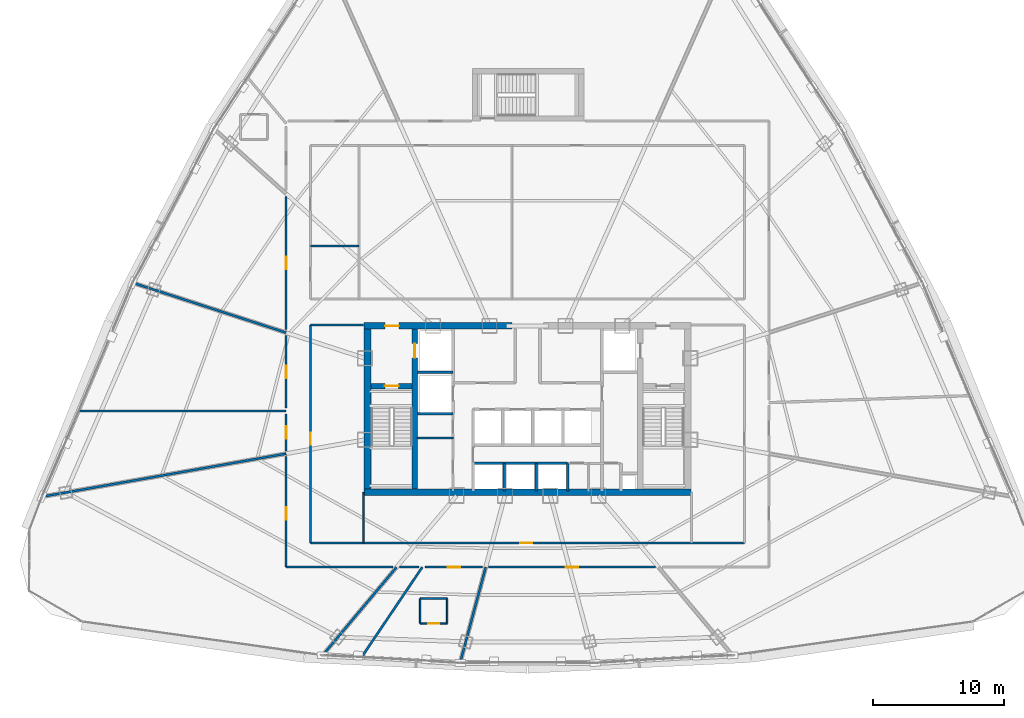
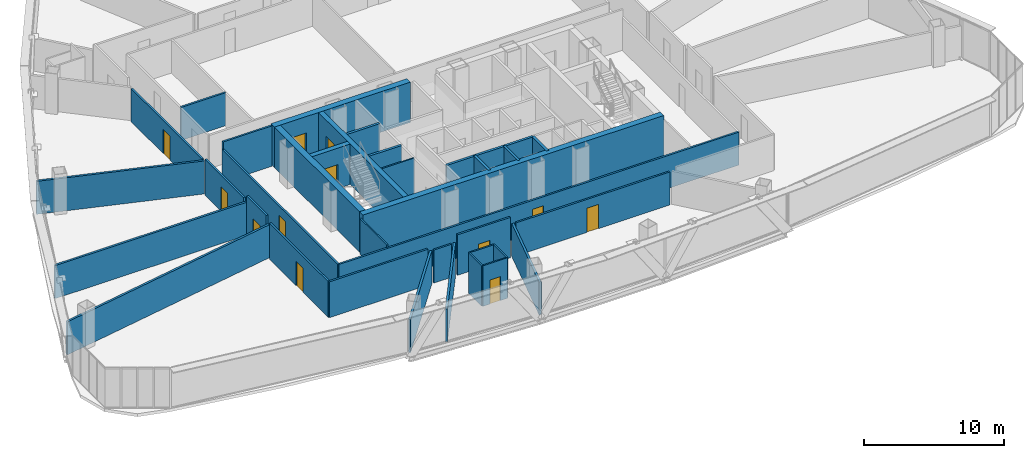
# One storey, part 30 of 37: 35 walls, 12 doors, 12 openings.
"""IFC4 building model written with IfcOpenShell, lengths in metres."""

import ifcopenshell
import ifcopenshell.guid

model = None  # the IFC model being written
_history = None  # IfcOwnerHistory: only IFC2X3 demands one
_inside = {}  # id of a spatial element -> (the spatial element, [elements in it])
_under = {}  # id of a project, library or spatial element -> (it, [spatial elements below it])
_declared = {}  # id of a project -> (the project, [libraries it declares])
_typed = {}  # id of a type object -> (the type object, [elements of that type])
_made_of = {}  # id of a material, layer set ... -> (it, [elements and type objects made of it])


def new_model(schema):
    """Start an empty IFC model of exactly this schema.

    Asked for "IFC4X3", IfcOpenShell would pick the latest addendum, in which some entities
    have other attributes; the version numbers below select the first issue.
    IFC2X3 requires an IfcOwnerHistory on every rooted entity: one is made here for all.
    """
    global model, _history
    if schema == "IFC4X3":
        model = ifcopenshell.file(schema_version=(4, 3, 0, 0))
    else:
        model = ifcopenshell.file(schema=schema)
    _inside.clear()
    _under.clear()
    _declared.clear()
    _typed.clear()
    _made_of.clear()
    _history = None
    if model.schema == "IFC2X3":
        org = make("IfcOrganization", Name="unknown")
        user = make(
            "IfcPersonAndOrganization",
            ThePerson=make("IfcPerson", FamilyName="unknown"),
            TheOrganization=org,
        )
        app = make(
            "IfcApplication",
            ApplicationDeveloper=org,
            Version="unknown",
            ApplicationFullName="unknown",
            ApplicationIdentifier="unknown",
        )
        _history = make(
            "IfcOwnerHistory",
            OwningUser=user,
            OwningApplication=app,
            ChangeAction="ADDED",
            CreationDate=0,
        )
    return model


def make(cls, **values):
    """One entity of the class cls with the attributes given. An attribute that is None is left unset."""
    return model.create_entity(
        cls, **{name: value for name, value in values.items() if value is not None}
    )


def rooted(cls, **values):
    """An entity with a GlobalId (a new one), such as an element, a storey or a relation."""
    return make(cls, GlobalId=ifcopenshell.guid.new(), OwnerHistory=_history, **values)


def si_unit(unit_type, name, prefix=None):
    """IfcSIUnit, for example si_unit("LENGTHUNIT", "METRE", prefix="MILLI")."""
    return make("IfcSIUnit", UnitType=unit_type, Prefix=prefix, Name=name)


def assignment(units):
    """IfcUnitAssignment: the units of a project."""
    return None if units is None else make("IfcUnitAssignment", Units=units)


def point(xyz):
    """IfcCartesianPoint."""
    return None if xyz is None else make("IfcCartesianPoint", Coordinates=xyz)


def direction(xyz):
    """IfcDirection."""
    return None if xyz is None else make("IfcDirection", DirectionRatios=xyz)


def frame(location, z_axis=None, x_axis=None):
    """IfcAxis2Placement3D, a coordinate frame: its origin and axes. An axis left out is left unset."""
    return make(
        "IfcAxis2Placement3D",
        Location=point(location),
        Axis=direction(z_axis),
        RefDirection=direction(x_axis),
    )


def frame_2d(location, x_axis=None):
    """IfcAxis2Placement2D, a coordinate frame in the plane: its origin and x axis."""
    return make(
        "IfcAxis2Placement2D", Location=point(location), RefDirection=direction(x_axis)
    )


def origin():
    """The frame at (0, 0, 0) with its axes left unset."""
    return frame((0.0, 0.0, 0.0))


def origin_with_axes():
    """The frame at (0, 0, 0) with the z axis (0, 0, 1) and the x axis (1, 0, 0) written out."""
    return frame((0.0, 0.0, 0.0), z_axis=(0.0, 0.0, 1.0), x_axis=(1.0, 0.0, 0.0))


def place(relative_to, where):
    """IfcLocalPlacement: puts the frame where relative to a parent placement (None: the world)."""
    return make(
        "IfcLocalPlacement", PlacementRelTo=relative_to, RelativePlacement=where
    )


def context(
    kind, dimensions, precision=None, world=None, true_north=None, identifier=None
):
    """IfcGeometricRepresentationContext, for example the 3D "Model" context."""
    return make(
        "IfcGeometricRepresentationContext",
        ContextIdentifier=identifier,
        ContextType=kind,
        CoordinateSpaceDimension=dimensions,
        Precision=precision,
        WorldCoordinateSystem=world,
        TrueNorth=true_north,
    )


def subcontext(parent, identifier, kind, view, scale=None):
    """IfcGeometricRepresentationSubContext, for example "Body" below "Model"."""
    return make(
        "IfcGeometricRepresentationSubContext",
        ContextIdentifier=identifier,
        ContextType=kind,
        ParentContext=parent,
        TargetScale=scale,
        TargetView=view,
    )


def project(units=None, contexts=None):
    """IfcProject with its units and contexts."""
    return rooted(
        "IfcProject",
        Name="project",
        RepresentationContexts=contexts,
        UnitsInContext=assignment(units),
    )


def spatial(cls, under=None, at=None, **own):
    """A site, building, storey or space (cls), placed at a placement, below another one or the project."""
    s = rooted(cls, ObjectPlacement=at, **own)
    if under is not None:
        _under.setdefault(under.id(), (under, []))[1].append(s)
    return s


def profile(cls, at=None, kind="AREA", **sizes):
    """A parametric profile (cls). Its sizes go by their IFC names, for example OverallWidth=200.0."""
    return make(cls, ProfileType=kind, Position=at, **sizes)


def rectangle(**sizes):
    """IfcRectangleProfileDef."""
    return profile("IfcRectangleProfileDef", **sizes)


def extrude(swept, where, along, depth):
    """IfcExtrudedAreaSolid: the profile swept, set in the frame where, extruded along a direction by depth."""
    return make(
        "IfcExtrudedAreaSolid",
        SweptArea=swept,
        Position=where,
        ExtrudedDirection=direction(along),
        Depth=depth,
    )


def shape(context_of_items, identifier, shape_type, items):
    """IfcShapeRepresentation: the items that make up one representation, for example the "Body"."""
    return make(
        "IfcShapeRepresentation",
        ContextOfItems=context_of_items,
        RepresentationIdentifier=identifier,
        RepresentationType=shape_type,
        Items=items,
    )


def source(mapping_origin, context_of_items, identifier, shape_type, items):
    """IfcRepresentationMap: a shape defined once, which mapped items show again and again."""
    return make(
        "IfcRepresentationMap",
        MappingOrigin=mapping_origin,
        MappedRepresentation=shape(context_of_items, identifier, shape_type, items),
    )


def transform(
    local_origin,
    x_axis=None,
    y_axis=None,
    z_axis=None,
    scale=None,
    scale2=None,
    scale3=None,
    uniform=True,
):
    """IfcCartesianTransformationOperator3D, or its non-uniform kind. x_axis, y_axis, z_axis: its Axis1, 2, 3."""
    if uniform:
        return make(
            "IfcCartesianTransformationOperator3D",
            Axis1=direction(x_axis),
            Axis2=direction(y_axis),
            LocalOrigin=point(local_origin),
            Scale=scale,
            Axis3=direction(z_axis),
        )
    return make(
        "IfcCartesianTransformationOperator3DnonUniform",
        Axis1=direction(x_axis),
        Axis2=direction(y_axis),
        LocalOrigin=point(local_origin),
        Scale=scale,
        Axis3=direction(z_axis),
        Scale2=scale2,
        Scale3=scale3,
    )


def mapped(mapping_source, mapping_target):
    """IfcMappedItem: shows the shape of a source again, moved by a transform."""
    return make(
        "IfcMappedItem", MappingSource=mapping_source, MappingTarget=mapping_target
    )


def material(Name=None, Category=None):
    """IfcMaterial."""
    return make("IfcMaterial", Name=Name, Category=Category)


def layer(
    of_material, thickness, ventilated=None, Name=None, Category=None, Priority=None
):
    """IfcMaterialLayer: one layer of a wall or slab, of a material (None: an air gap)."""
    return make(
        "IfcMaterialLayer",
        Material=of_material,
        LayerThickness=thickness,
        IsVentilated=ventilated,
        Name=Name,
        Category=Category,
        Priority=Priority,
    )


def layer_set(layers, Name=None):
    """IfcMaterialLayerSet."""
    return make("IfcMaterialLayerSet", MaterialLayers=layers, LayerSetName=Name)


def made_of(thing, what):
    """Note that an element or type object is made of a material, layer set ...; save() writes the relation."""
    if what is not None:
        _made_of.setdefault(what.id(), (what, []))[1].append(thing)
    return thing


def type_object(cls, material=None, **own):
    """A type object (cls), such as IfcWallType, which elements share."""
    return made_of(rooted(cls, **own), material)


def element(
    cls,
    number,
    at=None,
    inside=None,
    cuts=None,
    type_object=None,
    material=None,
    context=None,
    identifier="Body",
    shape_type=None,
    held_by="IfcProductDefinitionShape",
    body=None,
    shapes=None,
    **own,
):
    """One element of the class cls, such as IfcWall. Its Tag is "e" and its number.

    at: its placement. inside: the storey or other place that contains it. cuts: it is an
    opening in that element (IfcRelVoidsElement). A single representation is given by context,
    identifier, shape_type and body (its items); several are given by shapes. held_by: the class
    of the entity that holds the representations. save() writes the other relations.
    """
    e = rooted(cls, Tag="e%d" % number, ObjectPlacement=at, **own)
    if body is not None:
        shapes = [shape(context, identifier, shape_type, body)]
    if shapes is not None:
        e.Representation = make(held_by, Representations=shapes)
    if inside is not None:
        _inside.setdefault(inside.id(), (inside, []))[1].append(e)
    if cuts is not None:
        rooted(
            "IfcRelVoidsElement", RelatingBuildingElement=cuts, RelatedOpeningElement=e
        )
    if type_object is not None:
        _typed.setdefault(type_object.id(), (type_object, []))[1].append(e)
    return made_of(e, material)


def fill(opening, filler):
    """IfcRelFillsElement: the door or window that sits in an opening."""
    return rooted(
        "IfcRelFillsElement",
        RelatingOpeningElement=opening,
        RelatedBuildingElement=filler,
    )


def aggregate(whole, parts):
    """IfcRelAggregates: a whole, such as a stair, and the parts it consists of."""
    return rooted("IfcRelAggregates", RelatingObject=whole, RelatedObjects=parts)


def save(model, path):
    """Write the relations noted so far, then the file.

    IfcRelAggregates (storeys below a building ...), IfcRelContainedInSpatialStructure (elements
    in a storey), IfcRelDefinesByType, IfcRelAssociatesMaterial and IfcRelDeclares: one each for
    every whole, place, type object, material and project.
    """
    for whole, parts in _under.values():
        aggregate(whole, parts)
    for where, things in _inside.values():
        rooted(
            "IfcRelContainedInSpatialStructure",
            RelatedElements=things,
            RelatingStructure=where,
        )
    for kind, things in _typed.values():
        rooted("IfcRelDefinesByType", RelatedObjects=things, RelatingType=kind)
    for what, things in _made_of.values():
        rooted("IfcRelAssociatesMaterial", RelatedObjects=things, RelatingMaterial=what)
    for by, libraries in _declared.values():
        rooted("IfcRelDeclares", RelatingContext=by, RelatedDefinitions=libraries)
    model.write(path)


model = new_model("IFC4")

# Units and contexts
model_context = context("Model", 3, precision=1e-05, world=origin(), true_north=direction((0.0, 1.0)))
body_context = subcontext(model_context, "Body", "Model", "MODEL_VIEW")
ifc_project = project(units=[si_unit("LENGTHUNIT", "METRE"), si_unit("AREAUNIT", "SQUARE_METRE"), si_unit("VOLUMEUNIT", "CUBIC_METRE"), si_unit("PLANEANGLEUNIT", "RADIAN"), si_unit("MASSUNIT", "GRAM", prefix="KILO"), si_unit("THERMODYNAMICTEMPERATUREUNIT", "KELVIN"), si_unit("POWERUNIT", "WATT")], contexts=[model_context])

# Site, building, storey
site_placement = place(None, origin())
site = spatial("IfcSite", under=ifc_project, at=site_placement, CompositionType="ELEMENT")
building_placement = place(site_placement, origin())
building = spatial("IfcBuilding", under=site, at=building_placement, Name="Yunzhuo Pagoda Commons", CompositionType="ELEMENT")
storey_placement = place(building_placement, frame((0.0, 0.0, 207.56005859375)))
storey = spatial("IfcBuildingStorey", under=building, at=storey_placement, Name="L52", CompositionType="ELEMENT", Elevation=207.56005859375)

# Wall
ifc_material_1 = material(Name="Concrete C50", Category="concrete")
ifc_layer_1 = layer(ifc_material_1, 0.5)
ifc_layer_set_1 = layer_set([ifc_layer_1], Name="Concrete C50")
wall_type_1 = type_object("IfcWallType", Name="W-C03 Upper Core Shear Wall 500", PredefinedType="SHEAR", material=ifc_layer_set_1)
wall_1_placement = place(storey_placement, frame((35.550048828125, 27.5, 0.0), z_axis=(0.0, 0.0, 1.0), x_axis=(1.0, 0.0, 0.0)))
element("IfcWall", 1, at=wall_1_placement, inside=storey, type_object=wall_type_1, Name="L52 core shear wall S", PredefinedType="SHEAR", context=body_context, shape_type="SweptSolid", body=[
    extrude(rectangle(XDim=24.89990234375, YDim=0.5, at=frame_2d((12.449951171875, 0.0))), origin(), (0.0, 0.0, 1.0), 3.5400390625),
])

# Wall, opening, door
wall_2_placement = place(storey_placement, frame((35.550048828125, 40.199951171875, 0.0), z_axis=(0.0, 0.0, 1.0), x_axis=(1.0, 0.0, 0.0)))
wall_2 = element("IfcWall", 2, at=wall_2_placement, inside=storey, type_object=wall_type_1, Name="L52 core shear wall NW", PredefinedType="SHEAR", context=body_context, shape_type="SweptSolid", body=[
    extrude(rectangle(XDim=11.25, YDim=0.5, at=frame_2d((5.625, 0.0))), origin(), (0.0, 0.0, 1.0), 3.5400390625),
])
opening_1_placement = place(wall_2_placement, frame((1.60009765625, 0.0, 0.0)))
opening_1 = element("IfcOpeningElement", 3, at=opening_1_placement, cuts=wall_2, Name="Opening D-02", PredefinedType="OPENING", context=body_context, shape_type="SweptSolid", body=[
    extrude(rectangle(XDim=1.050048828125, YDim=2.10009765625, at=frame_2d((0.52490234375, 1.050048828125))), frame((0.0, 0.260009765625, 0.0), z_axis=(0.0, -1.0, 0.0), x_axis=(1.0, 0.0, 0.0)), (0.0, 0.0, 1.0), 0.52001953125),
])
ifc_material_2 = material(Name="Galvanized fire-resisting metal leaf")
door_type_1 = type_object("IfcDoorType", Name="D-02 Firefighting Lobby & Refuge Fire Door 1050x2100", OperationType="NOTDEFINED", PredefinedType="DOOR", material=ifc_material_2)
shared_shape_1 = source(origin(), body_context, "Body", "SweptSolid", [
    extrude(rectangle(XDim=1.050048828125, YDim=2.10009765625, at=frame_2d((0.52490234375, 1.050048828125))), frame((0.0, 0.02490234375, 0.0), z_axis=(0.0, -1.0, 0.0), x_axis=(1.0, 0.0, 0.0)), (0.0, 0.0, 1.0), 0.050048828125),
])
door_1_placement = place(opening_1_placement, frame((1.050048828125, 0.0, 0.0), z_axis=(0.0, 0.0, 1.0), x_axis=(-1.0, 0.0, 0.0)))
door_1 = element("IfcDoor", 4, at=door_1_placement, inside=storey, type_object=door_type_1, Name="L52 Firefighting Lobby 1 fire door", OperationType="SINGLE_SWING_LEFT", OverallHeight=2.10009765625, OverallWidth=1.050048828125, PredefinedType="DOOR", context=body_context, shape_type="MappedRepresentation", body=[
    mapped(shared_shape_1, transform((0.0, 0.0, 0.0), scale=1.0)),
])
fill(opening_1, door_1)

# Walls
wall_3_placement = place(storey_placement, frame((35.800048828125, 27.75, 0.0), z_axis=(0.0, 0.0, 1.0), x_axis=(0.0, 1.0, 0.0)))
element("IfcWall", 5, at=wall_3_placement, inside=storey, type_object=wall_type_1, Name="L52 core shear wall W", PredefinedType="SHEAR", context=body_context, shape_type="SweptSolid", body=[
    extrude(rectangle(XDim=12.199951171875, YDim=0.5, at=frame_2d((6.10009765625, 0.0))), origin(), (0.0, 0.0, 1.0), 3.5400390625),
])
ifc_material_3 = material(Name="Gypsum plasterboard on acoustic stud")
ifc_layer_2 = layer(ifc_material_3, 0.155029296875)
ifc_layer_set_2 = layer_set([ifc_layer_2], Name="Gypsum plasterboard on acoustic stud")
wall_type_2 = type_object("IfcWallType", Name="W-COR2 Mid-Zone Rated Corridor Wall 155", PredefinedType="PARTITIONING", material=ifc_layer_set_2)
wall_4_placement = place(storey_placement, frame((31.449951171875, 46.300048828125, 0.0), z_axis=(0.0, 0.0, 1.0), x_axis=(1.0, 0.0, 0.0)))
element("IfcWall", 6, at=wall_4_placement, inside=storey, type_object=wall_type_2, Name="L52 interior wall IW-L52-MCWCN", PredefinedType="PARTITIONING", context=body_context, shape_type="SweptSolid", body=[
    extrude(rectangle(XDim=3.699951171875, YDim=0.155029296875, at=frame_2d((1.85009765625, 0.0))), origin(), (0.0, 0.0, 1.0), 2.889892578125),
])

# Wall, opening, door
wall_5_placement = place(storey_placement, frame((31.449951171875, 23.64990234375, 0.0), z_axis=(0.0, 0.0, 1.0), x_axis=(0.0, 1.0, 0.0)))
wall_5 = element("IfcWall", 7, at=wall_5_placement, inside=storey, type_object=wall_type_2, Name="L52 interior wall IW-L52-SFLW", PredefinedType="PARTITIONING", context=body_context, shape_type="SweptSolid", body=[
    extrude(rectangle(XDim=16.60009765625, YDim=0.155029296875, at=frame_2d((8.300048828125, 0.0))), origin(), (0.0, 0.0, 1.0), 2.889892578125),
])
opening_2_placement = place(wall_5_placement, frame((7.5, 0.0, 0.0)))
opening_2 = element("IfcOpeningElement", 8, at=opening_2_placement, cuts=wall_5, Name="Opening D-12", PredefinedType="OPENING", context=body_context, shape_type="SweptSolid", body=[
    extrude(rectangle(XDim=0.89990234375, YDim=2.080078125, at=frame_2d((0.449951171875, 1.0400390625))), frame((0.0, 0.08740234375, 0.0), z_axis=(0.0, -1.0, 0.0), x_axis=(1.0, 0.0, 0.0)), (0.0, 0.0, 1.0), 0.175048828125),
])
ifc_material_4 = material(Name="Powder-coated aluminium and timber acoustic leaf", Category="wood")
door_type_2 = type_object("IfcDoorType", Name="D-12 Quiet Study Interior Door 900x2080", OperationType="NOTDEFINED", PredefinedType="DOOR", material=ifc_material_4)
shared_shape_2 = source(origin(), body_context, "Body", "SweptSolid", [
    extrude(rectangle(XDim=0.89990234375, YDim=2.080078125, at=frame_2d((0.449951171875, 1.0400390625))), frame((0.0, 0.02490234375, 0.0), z_axis=(0.0, -1.0, 0.0), x_axis=(1.0, 0.0, 0.0)), (0.0, 0.0, 1.0), 0.050048828125),
])
door_2_placement = place(opening_2_placement, origin_with_axes())
door_2 = element("IfcDoor", 9, at=door_2_placement, inside=storey, type_object=door_type_2, Name="L52 west study workroom door", OperationType="SINGLE_SWING_LEFT", OverallHeight=2.080078125, OverallWidth=0.89990234375, PredefinedType="DOOR", context=body_context, shape_type="MappedRepresentation", body=[
    mapped(shared_shape_2, transform((0.0, 0.0, 0.0), scale=1.0)),
])
fill(opening_2, door_2)

wall_6_placement = place(storey_placement, frame((31.449951171875, 23.64990234375, 0.0), z_axis=(0.0, 0.0, 1.0), x_axis=(1.0, 0.0, 0.0)))
wall_6 = element("IfcWall", 10, at=wall_6_placement, inside=storey, type_object=wall_type_2, Name="L52 interior wall IW-L52-SFLS", PredefinedType="PARTITIONING", context=body_context, shape_type="SweptSolid", body=[
    extrude(rectangle(XDim=33.10009765625, YDim=0.155029296875, at=frame_2d((16.550048828125, 0.0))), origin(), (0.0, 0.0, 1.0), 2.889892578125),
])
opening_3_placement = place(wall_6_placement, frame((16.0, 0.0, 0.0)))
opening_3 = element("IfcOpeningElement", 11, at=opening_3_placement, cuts=wall_6, Name="Opening D-04", PredefinedType="OPENING", context=body_context, shape_type="SweptSolid", body=[
    extrude(rectangle(XDim=0.919921875, YDim=2.10009765625, at=frame_2d((0.4599609375, 1.050048828125))), frame((0.0, 0.08740234375, 0.0), z_axis=(0.0, -1.0, 0.0), x_axis=(1.0, 0.0, 0.0)), (0.0, 0.0, 1.0), 0.175048828125),
])
door_type_3 = type_object("IfcDoorType", Name="D-04 Bedroom & Study Interior Door 920x2100", OperationType="NOTDEFINED", PredefinedType="DOOR", material=ifc_material_4)
shared_shape_3 = source(origin(), body_context, "Body", "SweptSolid", [
    extrude(rectangle(XDim=0.919921875, YDim=2.10009765625, at=frame_2d((0.4599609375, 1.050048828125))), frame((0.0, 0.02490234375, 0.0), z_axis=(0.0, -1.0, 0.0), x_axis=(1.0, 0.0, 0.0)), (0.0, 0.0, 1.0), 0.050048828125),
])
door_3_placement = place(opening_3_placement, frame((0.919921875, 0.0, 0.0), z_axis=(0.0, 0.0, 1.0), x_axis=(-1.0, 0.0, 0.0)))
door_3 = element("IfcDoor", 12, at=door_3_placement, inside=storey, type_object=door_type_3, Name="L52 south seminar room door", OperationType="SINGLE_SWING_RIGHT", OverallHeight=2.10009765625, OverallWidth=0.919921875, PredefinedType="DOOR", context=body_context, shape_type="MappedRepresentation", body=[
    mapped(shared_shape_3, transform((0.0, 0.0, 0.0), scale=1.0)),
])
fill(opening_3, door_3)

# Wall
wall_7_placement = place(storey_placement, frame((31.449951171875, 40.25, 0.0), z_axis=(0.0, 0.0, 1.0), x_axis=(1.0, 0.0, 0.0)))
element("IfcWall", 13, at=wall_7_placement, inside=storey, type_object=wall_type_2, Name="L52 interior wall IW-L52-SFLNW", PredefinedType="PARTITIONING", context=body_context, shape_type="SweptSolid", body=[
    extrude(rectangle(XDim=4.050048828125, YDim=0.155029296875, at=frame_2d((2.02490234375, 0.0))), origin(), (0.0, 0.0, 1.0), 3.5400390625),
])

# Wall, opening, door
wall_8_placement = place(storey_placement, frame((29.60009765625, 21.800048828125, 0.0), z_axis=(0.0, 0.0, 1.0), x_axis=(0.0, 1.0, 0.0)))
wall_8 = element("IfcWall", 14, at=wall_8_placement, inside=storey, type_object=wall_type_2, Name="L52 interior wall IW-L52-CWL01", PredefinedType="PARTITIONING", context=body_context, shape_type="SweptSolid", body=[
    extrude(rectangle(XDim=8.43212890625, YDim=0.155029296875, at=frame_2d((4.216064453125, 0.0))), origin(), (0.0, 0.0, 1.0), 3.139892578125),
])
opening_4_placement = place(wall_8_placement, frame((3.622802734375, 0.0, 0.0)))
opening_4 = element("IfcOpeningElement", 15, at=opening_4_placement, cuts=wall_8, Name="Opening D-07", PredefinedType="OPENING", context=body_context, shape_type="SweptSolid", body=[
    extrude(rectangle(XDim=0.9599609375, YDim=2.1201171875, at=frame_2d((0.47998046875, 1.06005859375))), frame((0.0, 0.08740234375, 0.0), z_axis=(0.0, -1.0, 0.0), x_axis=(1.0, 0.0, 0.0)), (0.0, 0.0, 1.0), 0.175048828125),
])
door_type_4 = type_object("IfcDoorType", Name="D-07 Mid-Zone Suite Entrance Fire Door 960x2120", OperationType="NOTDEFINED", PredefinedType="DOOR", material=ifc_material_2)
shared_shape_4 = source(origin(), body_context, "Body", "SweptSolid", [
    extrude(rectangle(XDim=0.9599609375, YDim=2.1201171875, at=frame_2d((0.47998046875, 1.06005859375))), frame((0.0, 0.02490234375, 0.0), z_axis=(0.0, -1.0, 0.0), x_axis=(1.0, 0.0, 0.0)), (0.0, 0.0, 1.0), 0.050048828125),
])
door_4_placement = place(opening_4_placement, origin_with_axes())
door_4 = element("IfcDoor", 16, at=door_4_placement, inside=storey, type_object=door_type_4, Name="L52 unit 09 entrance door", OperationType="SINGLE_SWING_LEFT", OverallHeight=2.1201171875, OverallWidth=0.9599609375, PredefinedType="DOOR", context=body_context, shape_type="MappedRepresentation", body=[
    mapped(shared_shape_4, transform((0.0, 0.0, 0.0), scale=1.0)),
])
fill(opening_4, door_4)

wall_9_placement = place(storey_placement, frame((29.60009765625, 30.67529296875, 0.0), z_axis=(0.0, 0.0, 1.0), x_axis=(0.0, 1.0, 0.0)))
wall_9 = element("IfcWall", 17, at=wall_9_placement, inside=storey, type_object=wall_type_2, Name="L52 interior wall IW-L52-CWL02", PredefinedType="PARTITIONING", context=body_context, shape_type="SweptSolid", body=[
    extrude(rectangle(XDim=2.8046875, YDim=0.155029296875, at=frame_2d((1.40234375, 0.0))), origin(), (0.0, 0.0, 1.0), 3.5400390625),
])
opening_5_placement = place(wall_9_placement, frame((0.927490234375, 0.0, 0.0)))
opening_5 = element("IfcOpeningElement", 18, at=opening_5_placement, cuts=wall_9, Name="Opening D-07", PredefinedType="OPENING", context=body_context, shape_type="SweptSolid", body=[
    extrude(rectangle(XDim=0.9599609375, YDim=2.1201171875, at=frame_2d((0.47998046875, 1.06005859375))), frame((0.0, 0.08740234375, 0.0), z_axis=(0.0, -1.0, 0.0), x_axis=(1.0, 0.0, 0.0)), (0.0, 0.0, 1.0), 0.175048828125),
])
door_5_placement = place(opening_5_placement, origin_with_axes())
door_5 = element("IfcDoor", 19, at=door_5_placement, inside=storey, type_object=door_type_4, Name="L52 unit 08 entrance door", OperationType="SINGLE_SWING_RIGHT", OverallHeight=2.1201171875, OverallWidth=0.9599609375, PredefinedType="DOOR", context=body_context, shape_type="MappedRepresentation", body=[
    mapped(shared_shape_4, transform((0.0, 0.0, 0.0), scale=1.0)),
])
fill(opening_5, door_5)

wall_10_placement = place(storey_placement, frame((29.60009765625, 33.919921875, 0.0), z_axis=(0.0, 0.0, 1.0), x_axis=(0.0, 1.0, 0.0)))
wall_10 = element("IfcWall", 20, at=wall_10_placement, inside=storey, type_object=wall_type_2, Name="L52 interior wall IW-L52-CWL03", PredefinedType="PARTITIONING", context=body_context, shape_type="SweptSolid", body=[
    extrude(rectangle(XDim=5.538818359375, YDim=0.155029296875, at=frame_2d((2.76953125, 0.0))), origin(), (0.0, 0.0, 1.0), 3.139892578125),
])
opening_6_placement = place(wall_10_placement, frame((2.294189453125, 0.0, 0.0)))
opening_6 = element("IfcOpeningElement", 21, at=opening_6_placement, cuts=wall_10, Name="Opening D-07", PredefinedType="OPENING", context=body_context, shape_type="SweptSolid", body=[
    extrude(rectangle(XDim=0.9599609375, YDim=2.1201171875, at=frame_2d((0.47998046875, 1.06005859375))), frame((0.0, 0.08740234375, 0.0), z_axis=(0.0, -1.0, 0.0), x_axis=(1.0, 0.0, 0.0)), (0.0, 0.0, 1.0), 0.175048828125),
])
door_6_placement = place(opening_6_placement, origin_with_axes())
door_6 = element("IfcDoor", 22, at=door_6_placement, inside=storey, type_object=door_type_4, Name="L52 unit 07 entrance door", OperationType="SINGLE_SWING_LEFT", OverallHeight=2.1201171875, OverallWidth=0.9599609375, PredefinedType="DOOR", context=body_context, shape_type="MappedRepresentation", body=[
    mapped(shared_shape_4, transform((0.0, 0.0, 0.0), scale=1.0)),
])
fill(opening_6, door_6)

wall_11_placement = place(storey_placement, frame((29.60009765625, 39.909912109375, 0.0), z_axis=(0.0, 0.0, 1.0), x_axis=(0.0, 1.0, 0.0)))
wall_11 = element("IfcWall", 23, at=wall_11_placement, inside=storey, type_object=wall_type_2, Name="L52 interior wall IW-L52-CWL04", PredefinedType="PARTITIONING", context=body_context, shape_type="SweptSolid", body=[
    extrude(rectangle(XDim=10.1376953125, YDim=0.155029296875, at=frame_2d((5.06884765625, 0.0))), origin(), (0.0, 0.0, 1.0), 2.889892578125),
])
opening_7_placement = place(wall_11_placement, frame((4.588134765625, 0.0, 0.0)))
opening_7 = element("IfcOpeningElement", 24, at=opening_7_placement, cuts=wall_11, Name="Opening D-07", PredefinedType="OPENING", context=body_context, shape_type="SweptSolid", body=[
    extrude(rectangle(XDim=0.9599609375, YDim=2.1201171875, at=frame_2d((0.47998046875, 1.06005859375))), frame((0.0, 0.08740234375, 0.0), z_axis=(0.0, -1.0, 0.0), x_axis=(1.0, 0.0, 0.0)), (0.0, 0.0, 1.0), 0.175048828125),
])
door_7_placement = place(opening_7_placement, origin_with_axes())
door_7 = element("IfcDoor", 25, at=door_7_placement, inside=storey, type_object=door_type_4, Name="L52 unit 06 entrance door", OperationType="SINGLE_SWING_RIGHT", OverallHeight=2.1201171875, OverallWidth=0.9599609375, PredefinedType="DOOR", context=body_context, shape_type="MappedRepresentation", body=[
    mapped(shared_shape_4, transform((0.0, 0.0, 0.0), scale=1.0)),
])
fill(opening_7, door_7)

wall_12_placement = place(storey_placement, frame((57.765380859375, 21.800048828125, 0.0), z_axis=(0.0, 0.0, 1.0), x_axis=(-1.0, 0.0, 0.0)))
wall_12 = element("IfcWall", 26, at=wall_12_placement, inside=storey, type_object=wall_type_2, Name="L52 interior wall IW-L52-CWL15", PredefinedType="PARTITIONING", context=body_context, shape_type="SweptSolid", body=[
    extrude(rectangle(XDim=12.734130859375, YDim=0.155029296875, at=frame_2d((6.3671875, 0.0))), origin(), (0.0, 0.0, 1.0), 2.889892578125),
])
opening_8_placement = place(wall_12_placement, frame((5.89208984375, 0.0, 0.0)))
opening_8 = element("IfcOpeningElement", 27, at=opening_8_placement, cuts=wall_12, Name="Opening D-07", PredefinedType="OPENING", context=body_context, shape_type="SweptSolid", body=[
    extrude(rectangle(XDim=0.9599609375, YDim=2.1201171875, at=frame_2d((0.47998046875, 1.06005859375))), frame((0.0, 0.08740234375, 0.0), z_axis=(0.0, -1.0, 0.0), x_axis=(1.0, 0.0, 0.0)), (0.0, 0.0, 1.0), 0.175048828125),
])
door_8_placement = place(opening_8_placement, origin_with_axes())
door_8 = element("IfcDoor", 28, at=door_8_placement, inside=storey, type_object=door_type_4, Name="L52 Resident Co-Living Commons Hall door", OperationType="SINGLE_SWING_RIGHT", OverallHeight=2.1201171875, OverallWidth=0.9599609375, PredefinedType="DOOR", context=body_context, shape_type="MappedRepresentation", body=[
    mapped(shared_shape_4, transform((0.0, 0.0, 0.0), scale=1.0)),
])
fill(opening_8, door_8)

wall_13_placement = place(storey_placement, frame((44.58349609375, 21.800048828125, 0.0), z_axis=(0.0, 0.0, 1.0), x_axis=(-1.0, 0.0, 0.0)))
wall_13 = element("IfcWall", 29, at=wall_13_placement, inside=storey, type_object=wall_type_2, Name="L52 interior wall IW-L52-CWL16", PredefinedType="PARTITIONING", context=body_context, shape_type="SweptSolid", body=[
    extrude(rectangle(XDim=4.39013671875, YDim=0.155029296875, at=frame_2d((2.195068359375, 0.0))), origin(), (0.0, 0.0, 1.0), 3.5400390625),
])
opening_9_placement = place(wall_13_placement, frame((1.71630859375, 0.0, 0.0)))
opening_9 = element("IfcOpeningElement", 30, at=opening_9_placement, cuts=wall_13, Name="Opening D-07", PredefinedType="OPENING", context=body_context, shape_type="SweptSolid", body=[
    extrude(rectangle(XDim=0.9599609375, YDim=2.1201171875, at=frame_2d((0.47998046875, 1.06005859375))), frame((0.0, 0.08740234375, 0.0), z_axis=(0.0, -1.0, 0.0), x_axis=(1.0, 0.0, 0.0)), (0.0, 0.0, 1.0), 0.175048828125),
])
door_9_placement = place(opening_9_placement, origin_with_axes())
door_9 = element("IfcDoor", 31, at=door_9_placement, inside=storey, type_object=door_type_4, Name="L52 unit 11 entrance door", OperationType="SINGLE_SWING_LEFT", OverallHeight=2.1201171875, OverallWidth=0.9599609375, PredefinedType="DOOR", context=body_context, shape_type="MappedRepresentation", body=[
    mapped(shared_shape_4, transform((0.0, 0.0, 0.0), scale=1.0)),
])
fill(opening_9, door_9)

# Walls
wall_14_placement = place(storey_placement, frame((39.7080078125, 21.800048828125, 0.0), z_axis=(0.0, 0.0, 1.0), x_axis=(-1.0, 0.0, 0.0)))
element("IfcWall", 32, at=wall_14_placement, inside=storey, type_object=wall_type_2, Name="L52 interior wall IW-L52-CWL17", PredefinedType="PARTITIONING", context=body_context, shape_type="SweptSolid", body=[
    extrude(rectangle(XDim=1.473388671875, YDim=0.155029296875, at=frame_2d((0.73681640625, 0.0))), origin(), (0.0, 0.0, 1.0), 2.889892578125),
])
wall_15_placement = place(storey_placement, frame((37.7275390625, 21.800048828125, 0.0), z_axis=(0.0, 0.0, 1.0), x_axis=(-1.0, 0.0, 0.0)))
element("IfcWall", 33, at=wall_15_placement, inside=storey, type_object=wall_type_2, Name="L52 interior wall IW-L52-CWL18", PredefinedType="PARTITIONING", context=body_context, shape_type="SweptSolid", body=[
    extrude(rectangle(XDim=8.12744140625, YDim=0.155029296875, at=frame_2d((4.063720703125, 0.0))), origin(), (0.0, 0.0, 1.0), 3.139892578125),
])
ifc_layer_3 = layer(ifc_material_3, 0.1201171875)
ifc_layer_set_3 = layer_set([ifc_layer_3], Name="Gypsum plasterboard on acoustic stud")
wall_type_3 = type_object("IfcWallType", Name="W-PRT1 Suite & Bathroom Partition 120", PredefinedType="PARTITIONING", material=ifc_layer_set_3)
wall_16_placement = place(storey_placement, frame((39.60009765625, 31.64990234375, 0.0), z_axis=(0.0, 0.0, 1.0), x_axis=(1.0, 0.0, 0.0)))
element("IfcWall", 34, at=wall_16_placement, inside=storey, type_object=wall_type_3, Name="L52 interior wall IW-L52-CD1", PredefinedType="PARTITIONING", context=body_context, shape_type="SweptSolid", body=[
    extrude(rectangle(XDim=2.719970703125, YDim=0.1201171875, at=frame_2d((1.35986328125, 0.0))), origin(), (0.0, 0.0, 1.0), 3.5400390625),
])
wall_17_placement = place(storey_placement, frame((35.5, 23.64990234375, 0.0), z_axis=(0.0, 0.0, 1.0), x_axis=(0.0, 1.0, 0.0)))
element("IfcWall", 35, at=wall_17_placement, inside=storey, type_object=wall_type_3, Name="L52 interior wall IW-L52-SFLD1", PredefinedType="PARTITIONING", context=body_context, shape_type="SweptSolid", body=[
    extrude(rectangle(XDim=3.85009765625, YDim=0.1201171875, at=frame_2d((1.925048828125, 0.0))), origin(), (0.0, 0.0, 1.0), 3.139892578125),
])

# Wall, opening, door
wall_18_placement = place(storey_placement, frame((39.81494140625, 17.512939453125, 0.0), z_axis=(0.0, 0.0, 1.0), x_axis=(1.0, 0.0, 0.0)))
wall_18 = element("IfcWall", 36, at=wall_18_placement, inside=storey, type_object=wall_type_3, Name="L52 interior wall IW-L52-B11S", PredefinedType="PARTITIONING", context=body_context, shape_type="SweptSolid", body=[
    extrude(rectangle(XDim=2.050048828125, YDim=0.1201171875, at=frame_2d((1.02490234375, 0.0))), origin(), (0.0, 0.0, 1.0), 3.5400390625),
])
opening_10_placement = place(wall_18_placement, frame((0.60009765625, 0.0, 0.0)))
opening_10 = element("IfcOpeningElement", 37, at=opening_10_placement, cuts=wall_18, Name="Opening D-05", PredefinedType="OPENING", context=body_context, shape_type="SweptSolid", body=[
    extrude(rectangle(XDim=0.85009765625, YDim=2.10009765625, at=frame_2d((0.425048828125, 1.050048828125))), frame((0.0, 0.070068359375, 0.0), z_axis=(0.0, -1.0, 0.0), x_axis=(1.0, 0.0, 0.0)), (0.0, 0.0, 1.0), 0.14013671875),
])
door_type_5 = type_object("IfcDoorType", Name="D-05 En-Suite Bathroom Door 850x2100", OperationType="NOTDEFINED", PredefinedType="DOOR", material=ifc_material_4)
shared_shape_5 = source(origin(), body_context, "Body", "SweptSolid", [
    extrude(rectangle(XDim=0.85009765625, YDim=2.10009765625, at=frame_2d((0.425048828125, 1.050048828125))), frame((0.0, 0.02490234375, 0.0), z_axis=(0.0, -1.0, 0.0), x_axis=(1.0, 0.0, 0.0)), (0.0, 0.0, 1.0), 0.050048828125),
])
door_10_placement = place(opening_10_placement, frame((0.85009765625, 0.0, 0.0), z_axis=(0.0, 0.0, 1.0), x_axis=(-1.0, 0.0, 0.0)))
door_10 = element("IfcDoor", 38, at=door_10_placement, inside=storey, type_object=door_type_5, Name="L52 unit 11 bathroom door", OperationType="SINGLE_SWING_LEFT", OverallHeight=2.10009765625, OverallWidth=0.85009765625, PredefinedType="DOOR", context=body_context, shape_type="MappedRepresentation", body=[
    mapped(shared_shape_5, transform((0.0, 0.0, 0.0), scale=1.0)),
])
fill(opening_10, door_10)

# Walls
wall_19_placement = place(storey_placement, frame((41.864990234375, 17.512939453125, 0.0), z_axis=(0.0, 0.0, 1.0), x_axis=(0.0, 1.0, 0.0)))
element("IfcWall", 39, at=wall_19_placement, inside=storey, type_object=wall_type_3, Name="L52 interior wall IW-L52-B11E", PredefinedType="PARTITIONING", context=body_context, shape_type="SweptSolid", body=[
    extrude(rectangle(XDim=1.900146484375, YDim=0.1201171875, at=frame_2d((0.9501953125, 0.0))), origin(), (0.0, 0.0, 1.0), 3.5400390625),
])
wall_20_placement = place(storey_placement, frame((41.864990234375, 19.4130859375, 0.0), z_axis=(0.0, 0.0, 1.0), x_axis=(-1.0, 0.0, 0.0)))
element("IfcWall", 40, at=wall_20_placement, inside=storey, type_object=wall_type_3, Name="L52 interior wall IW-L52-B11N", PredefinedType="PARTITIONING", context=body_context, shape_type="SweptSolid", body=[
    extrude(rectangle(XDim=2.050048828125, YDim=0.1201171875, at=frame_2d((1.02490234375, 0.0))), origin(), (0.0, 0.0, 1.0), 3.5400390625),
])
wall_21_placement = place(storey_placement, frame((39.81494140625, 19.4130859375, 0.0), z_axis=(0.0, 0.0, 1.0), x_axis=(0.0, -1.0, 0.0)))
element("IfcWall", 41, at=wall_21_placement, inside=storey, type_object=wall_type_3, Name="L52 interior wall IW-L52-B11W", PredefinedType="PARTITIONING", context=body_context, shape_type="SweptSolid", body=[
    extrude(rectangle(XDim=1.900146484375, YDim=0.1201171875, at=frame_2d((0.9501953125, 0.0))), origin(), (0.0, 0.0, 1.0), 3.5400390625),
])
ifc_layer_4 = layer(ifc_material_3, 0.175048828125)
ifc_layer_set_4 = layer_set([ifc_layer_4], Name="Gypsum plasterboard on acoustic stud")
wall_type_4 = type_object("IfcWallType", Name="W-PRT3 Mid-Zone Demising Wall 175", PredefinedType="PARTITIONING", material=ifc_layer_set_4)
wall_22_placement = place(storey_placement, frame((29.60009765625, 39.678466796875, 0.0), z_axis=(0.0, 0.0, 1.0), x_axis=(-0.951057676857, 0.309013422511, 0.0)))
element("IfcWall", 42, at=wall_22_placement, inside=storey, type_object=wall_type_4, Name="L52 interior wall IW-L52-RAD07", PredefinedType="PARTITIONING", context=body_context, shape_type="SweptSolid", body=[
    extrude(rectangle(XDim=12.31005859375, YDim=0.175048828125, at=frame_2d((6.155029296875, 0.0))), origin(), (0.0, 0.0, 1.0), 2.889892578125),
])
wall_23_placement = place(storey_placement, frame((29.60009765625, 33.699951171875, 0.0), z_axis=(0.0, 0.0, 1.0), x_axis=(-1.0, 0.0, 0.0)))
element("IfcWall", 43, at=wall_23_placement, inside=storey, type_object=wall_type_4, Name="L52 interior wall IW-L52-RAD08", PredefinedType="PARTITIONING", context=body_context, shape_type="SweptSolid", body=[
    extrude(rectangle(XDim=15.8505859375, YDim=0.175048828125, at=frame_2d((7.92529296875, 0.0))), origin(), (0.0, 0.0, 1.0), 2.889892578125),
])
wall_24_placement = place(storey_placement, frame((29.60009765625, 30.45556640625, 0.0), z_axis=(0.0, 0.0, 1.0), x_axis=(-0.984807864876, -0.173647543254, 0.0)))
element("IfcWall", 44, at=wall_24_placement, inside=storey, type_object=wall_type_4, Name="L52 interior wall IW-L52-RAD09", PredefinedType="PARTITIONING", context=body_context, shape_type="SweptSolid", body=[
    extrude(rectangle(XDim=18.901611328125, YDim=0.175048828125, at=frame_2d((9.45068359375, 0.0))), origin(), (0.0, 0.0, 1.0), 2.889892578125),
])
wall_25_placement = place(storey_placement, frame((38.0146484375, 21.800048828125, 0.0), z_axis=(0.0, 0.0, 1.0), x_axis=(-0.642774108653, -0.766055771629, 0.0)))
element("IfcWall", 45, at=wall_25_placement, inside=storey, type_object=wall_type_4, Name="L52 interior wall IW-L52-RAD10", PredefinedType="PARTITIONING", context=body_context, shape_type="SweptSolid", body=[
    extrude(rectangle(XDim=8.76904296875, YDim=0.175048828125, at=frame_2d((4.384521484375, 0.0))), origin(), (0.0, 0.0, 1.0), 2.889892578125),
])
wall_26_placement = place(storey_placement, frame((39.973388671875, 21.800048828125, 0.0), z_axis=(0.0, 0.0, 1.0), x_axis=(-0.559191496738, -0.829038521406, 0.0)))
element("IfcWall", 46, at=wall_26_placement, inside=storey, type_object=wall_type_4, Name="L52 interior wall IW-L52-RAD11", PredefinedType="PARTITIONING", context=body_context, shape_type="SweptSolid", body=[
    extrude(rectangle(XDim=8.3017578125, YDim=0.175048828125, at=frame_2d((4.15087890625, 0.0))), origin(), (0.0, 0.0, 1.0), 2.889892578125),
])
wall_27_placement = place(storey_placement, frame((44.811279296875, 21.800048828125, 0.0), z_axis=(0.0, 0.0, 1.0), x_axis=(-0.25880602585, -0.965929314693, 0.0)))
element("IfcWall", 47, at=wall_27_placement, inside=storey, type_object=wall_type_4, Name="L52 interior wall IW-L52-RAD12", PredefinedType="PARTITIONING", context=body_context, shape_type="SweptSolid", body=[
    extrude(rectangle(XDim=7.560791015625, YDim=0.175048828125, at=frame_2d((3.7802734375, 0.0))), origin(), (0.0, 0.0, 1.0), 2.889892578125),
])

# Wall, opening, door
ifc_material_5 = material(Name="Concrete C60", Category="concrete")
ifc_layer_5 = layer(ifc_material_5, 0.39990234375)
ifc_layer_set_5 = layer_set([ifc_layer_5], Name="Concrete C60")
wall_type_5 = type_object("IfcWallType", Name="W-S01 Internal Core Shear Web 400", PredefinedType="SHEAR", material=ifc_layer_set_5)
wall_28_placement = place(storey_placement, frame((39.39990234375, 27.75, 0.0), z_axis=(0.0, 0.0, 1.0), x_axis=(0.0, 1.0, 0.0)))
wall_28 = element("IfcWall", 48, at=wall_28_placement, inside=storey, type_object=wall_type_5, Name="L52 core shear wall WEBW", PredefinedType="SHEAR", context=body_context, shape_type="SweptSolid", body=[
    extrude(rectangle(XDim=12.199951171875, YDim=0.39990234375, at=frame_2d((6.10009765625, 0.0))), origin(), (0.0, 0.0, 1.0), 3.5400390625),
])
opening_11_placement = place(wall_28_placement, frame((10.0, 0.0, 0.0)))
opening_11 = element("IfcOpeningElement", 49, at=opening_11_placement, cuts=wall_28, Name="Opening LD-01", PredefinedType="OPENING", context=body_context, shape_type="SweptSolid", body=[
    extrude(rectangle(XDim=1.10009765625, YDim=2.10009765625, at=frame_2d((0.550048828125, 1.050048828125))), frame((0.0, 0.2099609375, 0.0), z_axis=(0.0, -1.0, 0.0), x_axis=(1.0, 0.0, 0.0)), (0.0, 0.0, 1.0), 0.419921875),
])
door_type_6 = type_object("IfcDoorType", Name="LD-01 Firefighting Lift Landing Door 1100x2100", OperationType="DOUBLE_DOOR_SLIDING", PredefinedType="DOOR", material=ifc_material_2)
shared_shape_6 = source(origin(), body_context, "Body", "SweptSolid", [
    extrude(rectangle(XDim=1.10009765625, YDim=2.10009765625, at=frame_2d((0.550048828125, 1.050048828125))), frame((0.0, 0.02490234375, 0.0), z_axis=(0.0, -1.0, 0.0), x_axis=(1.0, 0.0, 0.0)), (0.0, 0.0, 1.0), 0.050048828125),
])
door_11_placement = place(opening_11_placement, frame((1.10009765625, 0.0, 0.0), z_axis=(0.0, 0.0, 1.0), x_axis=(-1.0, 0.0, 0.0)))
door_11 = element("IfcDoor", 50, at=door_11_placement, inside=storey, type_object=door_type_6, Name="L52 Firefighting lift FL-1 landing door", OperationType="DOUBLE_DOOR_SLIDING", OverallHeight=2.10009765625, OverallWidth=1.10009765625, PredefinedType="DOOR", context=body_context, shape_type="MappedRepresentation", body=[
    mapped(shared_shape_6, transform((0.0, 0.0, 0.0), scale=1.0)),
])
fill(opening_11, door_11)

wall_29_placement = place(storey_placement, frame((36.050048828125, 35.60009765625, 0.0), z_axis=(0.0, 0.0, 1.0), x_axis=(1.0, 0.0, 0.0)))
wall_29 = element("IfcWall", 51, at=wall_29_placement, inside=storey, type_object=wall_type_5, Name="L52 core shear wall STW", PredefinedType="SHEAR", context=body_context, shape_type="SweptSolid", body=[
    extrude(rectangle(XDim=3.14990234375, YDim=0.39990234375, at=frame_2d((1.574951171875, 0.0))), origin(), (0.0, 0.0, 1.0), 3.5400390625),
])
opening_12_placement = place(wall_29_placement, frame((1.070068359375, 0.0, 0.0)))
opening_12 = element("IfcOpeningElement", 52, at=opening_12_placement, cuts=wall_29, Name="Opening D-01", PredefinedType="OPENING", context=body_context, shape_type="SweptSolid", body=[
    extrude(rectangle(XDim=1.050048828125, YDim=2.10009765625, at=frame_2d((0.52490234375, 1.050048828125))), frame((0.0, 0.2099609375, 0.0), z_axis=(0.0, -1.0, 0.0), x_axis=(1.0, 0.0, 0.0)), (0.0, 0.0, 1.0), 0.419921875),
])
door_type_7 = type_object("IfcDoorType", Name="D-01 Smokeproof Stair Fire Door 1050x2100", OperationType="NOTDEFINED", PredefinedType="DOOR", material=ifc_material_2)
door_12_placement = place(opening_12_placement, frame((1.050048828125, 0.0, 0.0), z_axis=(0.0, 0.0, 1.0), x_axis=(-1.0, 0.0, 0.0)))
door_12 = element("IfcDoor", 53, at=door_12_placement, inside=storey, type_object=door_type_7, Name="L52 Stair ST1 fire door", OperationType="SINGLE_SWING_LEFT", OverallHeight=2.10009765625, OverallWidth=1.050048828125, PredefinedType="DOOR", context=body_context, shape_type="MappedRepresentation", body=[
    mapped(shared_shape_1, transform((0.0, 0.0, 0.0), scale=1.0)),
])
fill(opening_12, door_12)

# Walls
ifc_material_6 = material(Name="Concrete C40", Category="concrete")
ifc_layer_6 = layer(ifc_material_6, 0.199951171875)
ifc_layer_set_6 = layer_set([ifc_layer_6], Name="Concrete C40")
wall_type_6 = type_object("IfcWallType", Name="W-SHF Shaft & Stair Enclosure Wall 200", PredefinedType="SOLIDWALL", material=ifc_layer_set_6)
for number, where, z_axis, x_axis, name in (
    (54, (39.60009765625, 36.64990234375, 0.0), (0.0, 0.0, 1.0), (1.0, 0.0, 0.0), "L52 interior wall IW-L52-FL1S"),
    (55, (39.60009765625, 33.5, 0.0), (0.0, 0.0, 1.0), (1.0, 0.0, 0.0), "L52 interior wall IW-L52-SL1S"),
):
    element("IfcWall", number, at=place(storey_placement, frame(where, z_axis=z_axis, x_axis=x_axis)), inside=storey, type_object=wall_type_6, Name=name, PredefinedType="SOLIDWALL", context=body_context, shape_type="SweptSolid", body=[
        extrude(rectangle(XDim=2.719970703125, YDim=0.199951171875, at=frame_2d((1.35986328125, 0.0))), origin(), (0.0, 0.0, 1.0), 3.5400390625),
    ])
wall_30_placement = place(storey_placement, frame((43.85009765625, 29.719970703125, 0.0), z_axis=(0.0, 0.0, 1.0), x_axis=(1.0, 0.0, 0.0)))
element("IfcWall", 56, at=wall_30_placement, inside=storey, type_object=wall_type_6, Name="L52 interior wall IW-L52-PLHN", PredefinedType="SOLIDWALL", context=body_context, shape_type="SweptSolid", body=[
    extrude(rectangle(XDim=7.199951171875, YDim=0.199951171875, at=frame_2d((3.60009765625, 0.0))), origin(), (0.0, 0.0, 1.0), 3.5400390625),
])
for number, where, z_axis, x_axis, name in (
    (57, (51.050048828125, 27.60009765625, 0.0), (0.0, 0.0, 1.0), (0.0, 1.0, 0.0), "L52 interior wall IW-L52-PLHE"),
    (58, (46.22509765625, 27.60009765625, 0.0), (0.0, 0.0, 1.0), (0.0, 1.0, 0.0), "L52 interior wall IW-L52-PLHD1"),
    (59, (48.675048828125, 27.60009765625, 0.0), (0.0, 0.0, 1.0), (0.0, 1.0, 0.0), "L52 interior wall IW-L52-PLHD2"),
):
    element("IfcWall", number, at=place(storey_placement, frame(where, z_axis=z_axis, x_axis=x_axis)), inside=storey, type_object=wall_type_6, Name=name, PredefinedType="SOLIDWALL", context=body_context, shape_type="SweptSolid", body=[
        extrude(rectangle(XDim=2.119873046875, YDim=0.199951171875, at=frame_2d((1.06005859375, 0.0))), origin(), (0.0, 0.0, 1.0), 3.5400390625),
    ])

save(model, "model.ifc")
